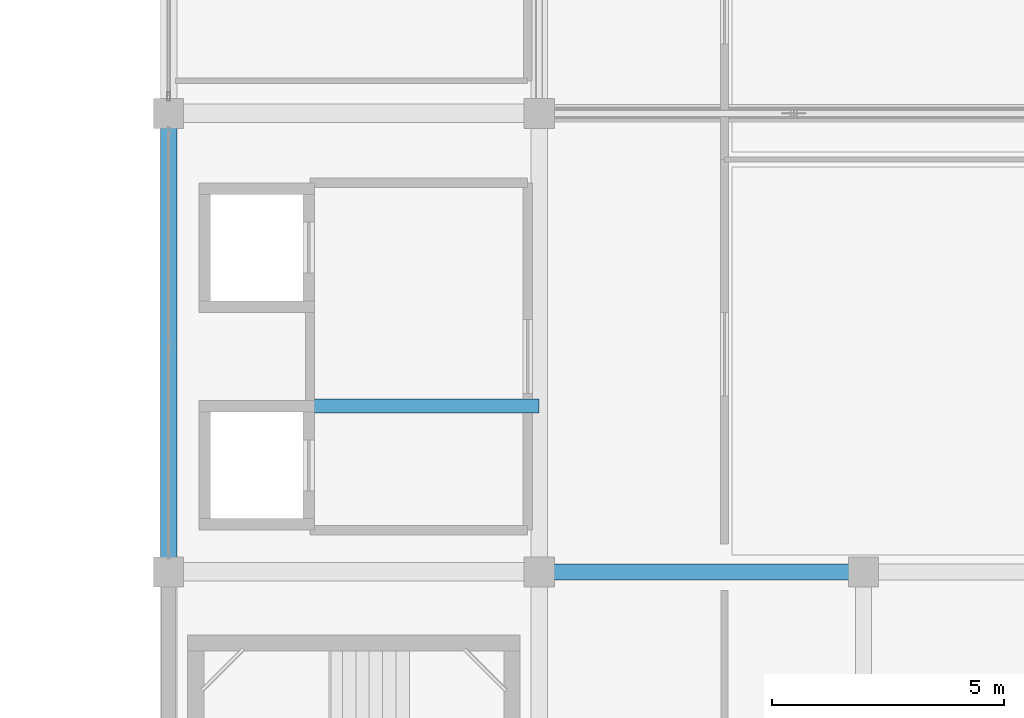
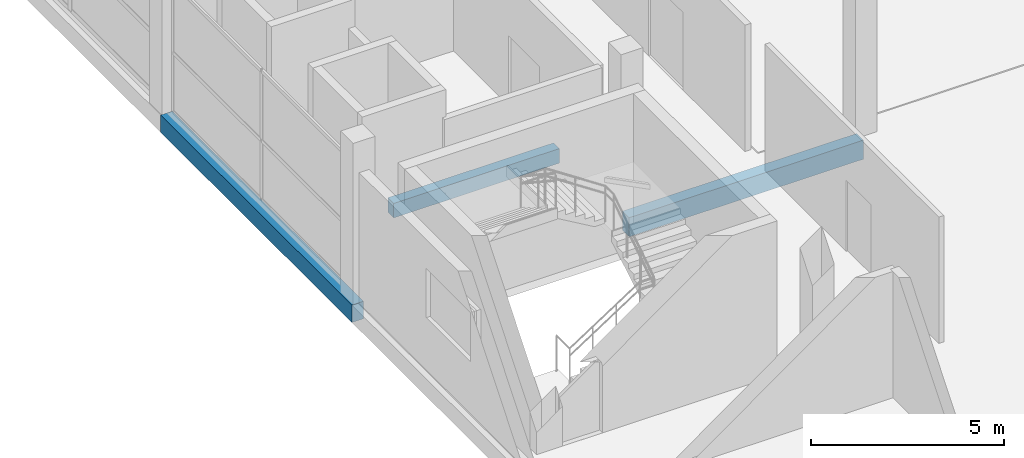
# One storey, part 7 of 66: 3 beams.
"""IFC4 building model written with IfcOpenShell, lengths in metres."""

from ifc_helpers import new_model, si_unit, direction, frame, origin, origin_2d, place, context, subcontext, project, spatial, rectangle, extrude, material, material_profile, profile_set, type_object, element, save


model = new_model("IFC4")

# Units and contexts
model_context = context("Model", 3, precision=1e-05, world=origin(), true_north=direction((0.0, 1.0)))
body_context = subcontext(model_context, "Body", "Model", "MODEL_VIEW")
ifc_project = project(units=[si_unit("LENGTHUNIT", "METRE"), si_unit("AREAUNIT", "SQUARE_METRE"), si_unit("VOLUMEUNIT", "CUBIC_METRE"), si_unit("PLANEANGLEUNIT", "RADIAN"), si_unit("MASSUNIT", "GRAM", prefix="KILO")], contexts=[model_context])

# Site, building, storey
site_placement = place(None, origin())
site = spatial("IfcSite", under=ifc_project, at=site_placement, CompositionType="ELEMENT")
building_placement = place(site_placement, origin())
building = spatial("IfcBuilding", under=site, at=building_placement, Name="Sillaruma Civic Art Gallery", CompositionType="ELEMENT")
storey_placement = place(building_placement, frame((0.0, 0.0, 57.1201171875)))
storey = spatial("IfcBuildingStorey", under=building, at=storey_placement, Name="L11", CompositionType="ELEMENT", Elevation=57.1201171875)

# Beams
ifc_material = material(Name="Concrete H35 (35 MPa)", Category="concrete")
ifc_material_profile_1 = material_profile(ifc_material, rectangle(XDim=0.35009765625, YDim=0.60009765625, at=origin_2d()), Name="RCB350x600")
ifc_profile_set_1 = profile_set([ifc_material_profile_1], Name="Concrete H35 (35 MPa)")
beam_type_1 = type_object("IfcBeamType", Name="BM-BEAM-RCB350x600", PredefinedType="BEAM", material=ifc_profile_set_1)
beam_1_placement = place(storey_placement, frame((70.0, 39.60009765625, -0.550048828125), z_axis=(1.0, 0.0, 0.0), x_axis=(0.0, 1.0, 0.0)))
element("IfcBeam", 1, at=beam_1_placement, inside=storey, type_object=beam_type_1, Name="Beam BM-06 (L10:5:G-H)", PredefinedType="BEAM", context=body_context, shape_type="SweptSolid", body=[
    extrude(rectangle(XDim=0.35009765625, YDim=0.60009765625, at=origin_2d()), origin(), (0.0, 0.0, 1.0), 7.0),
])
ifc_material_profile_2 = material_profile(ifc_material, rectangle(XDim=0.300048828125, YDim=0.4599609375, at=origin_2d()), Name="RCB300x460")
ifc_profile_set_2 = profile_set([ifc_material_profile_2], Name="Concrete H35 (35 MPa)")
beam_type_2 = type_object("IfcBeamType", Name="BM-LINTEL-RCB300x460", PredefinedType="LINTEL", material=ifc_profile_set_2)
beam_2_placement = place(storey_placement, frame((65.050048828125, 43.179931640625, -0.480224609375), z_axis=(1.0, 0.0, 0.0), x_axis=(0.0, 1.0, 0.0)))
element("IfcBeam", 2, at=beam_2_placement, inside=storey, type_object=beam_type_2, Name="Core Portal Coupling Lintel BL-01 (L10:PL1)", PredefinedType="LINTEL", context=body_context, shape_type="SweptSolid", body=[
    extrude(rectangle(XDim=0.300048828125, YDim=0.4599609375, at=origin_2d()), origin(), (0.0, 0.0, 1.0), 4.949951171875),
])
ifc_material_profile_3 = material_profile(ifc_material, rectangle(XDim=0.35009765625, YDim=0.550048828125, at=origin_2d()), Name="RCB350x550")
ifc_profile_set_3 = profile_set([ifc_material_profile_3], Name="Concrete H35 (35 MPa)")
beam_type_3 = type_object("IfcBeamType", Name="BM-SPANDREL-RCB350x550", PredefinedType="SPANDREL", material=ifc_profile_set_3)
beam_3_placement = place(storey_placement, frame((62.0, 39.60009765625, -0.525146484375), z_axis=(0.0, 1.0, 0.0), x_axis=(-1.0, 0.0, 0.0)))
element("IfcBeam", 3, at=beam_3_placement, inside=storey, type_object=beam_type_3, Name="Beam BS-04 (L10:F:5-6)", PredefinedType="SPANDREL", context=body_context, shape_type="SweptSolid", body=[
    extrude(rectangle(XDim=0.35009765625, YDim=0.550048828125, at=origin_2d()), origin(), (0.0, 0.0, 1.0), 9.89990234375),
])

save(model, "model.ifc")
